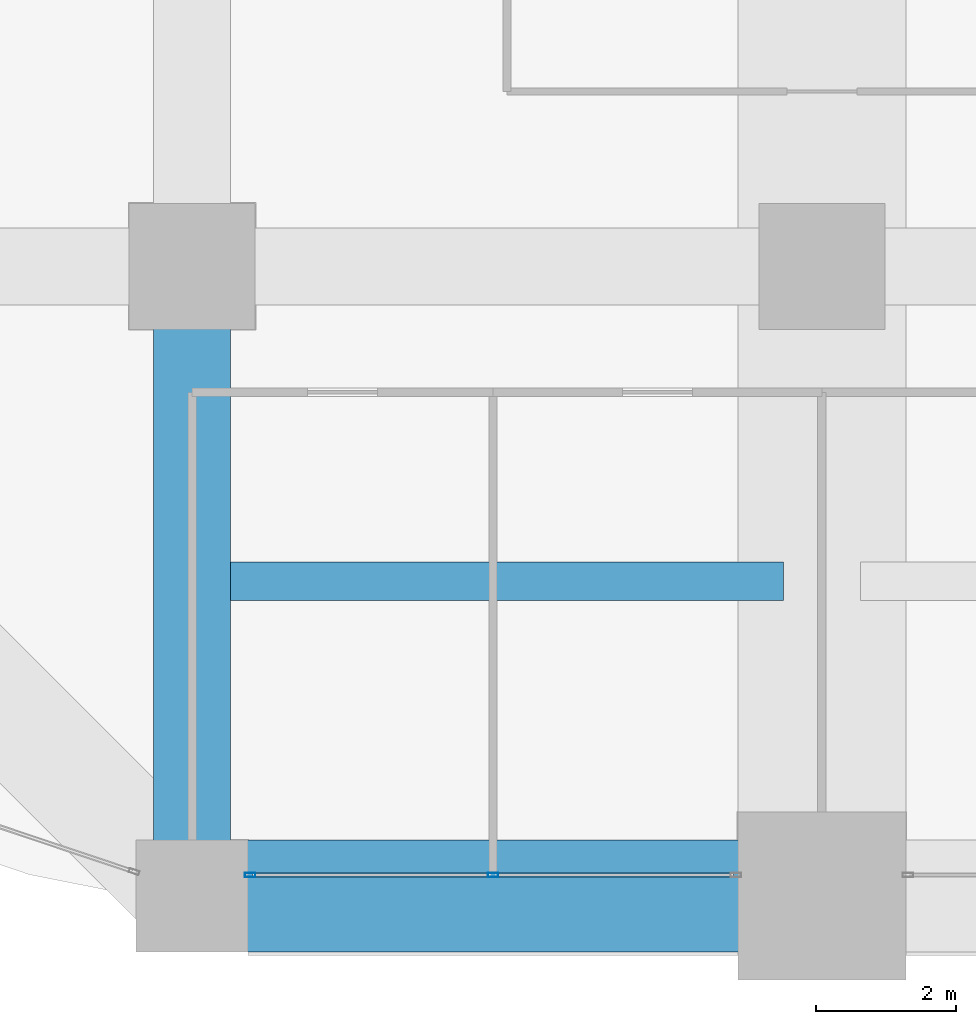
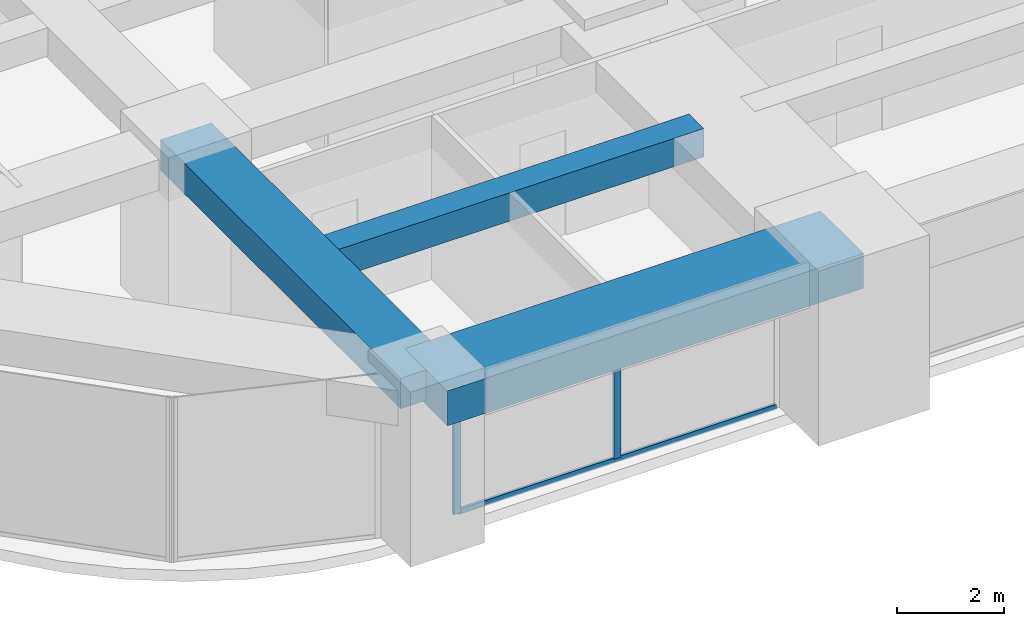
# One storey, part 3 of 43: 3 beams, 3 members, 1 element without a shape of its own.
"""IFC4 building model written with IfcOpenShell, lengths in metres."""

from ifc_helpers import new_model, si_unit, direction, frame, origin, origin_2d, place, context, subcontext, project, spatial, rectangle, hollow_rectangle, extrude, material, material_profile, profile_set, type_object, element, aggregate, save


model = new_model("IFC4")

# Units and contexts
model_context = context("Model", 3, precision=1e-05, world=origin(), true_north=direction((0.0, 1.0)))
body_context = subcontext(model_context, "Body", "Model", "MODEL_VIEW")
ifc_project = project(units=[si_unit("LENGTHUNIT", "METRE"), si_unit("AREAUNIT", "SQUARE_METRE"), si_unit("VOLUMEUNIT", "CUBIC_METRE"), si_unit("PLANEANGLEUNIT", "RADIAN"), si_unit("MASSUNIT", "GRAM", prefix="KILO")], contexts=[model_context])

# Site, building, storey
site_placement = place(None, origin())
site = spatial("IfcSite", under=ifc_project, at=site_placement, CompositionType="ELEMENT")
building_placement = place(site_placement, origin())
building = spatial("IfcBuilding", under=site, at=building_placement, Name="Zorevar Civic Tower", CompositionType="ELEMENT")
storey_placement = place(building_placement, frame((0.0, 0.0, 145.0)))
storey = spatial("IfcBuildingStorey", under=building, at=storey_placement, Name="L35", CompositionType="ELEMENT", Elevation=145.0)

# Beams
ifc_material_1 = material(Name="Concrete C50/60", Category="concrete")
ifc_material_profile_1 = material_profile(ifc_material_1, rectangle(XDim=1.10009765625, YDim=0.699951171875, at=origin_2d()), Name="RC 1100x700")
ifc_profile_set_1 = profile_set([ifc_material_profile_1], Name="Concrete C50/60")
beam_type_1 = type_object("IfcBeamType", Name="Beam RC 1100x700", PredefinedType="BEAM", material=ifc_profile_set_1)
beam_1_placement = place(storey_placement, frame((9.0, 0.0, 3.39990234375), z_axis=(0.0, 1.0, 0.0), x_axis=(-1.0, 0.0, 0.0)))
element("IfcBeam", 1, at=beam_1_placement, inside=storey, type_object=beam_type_1, Name="Girder L36", PredefinedType="BEAM", context=body_context, shape_type="SweptSolid", body=[
    extrude(rectangle(XDim=1.10009765625, YDim=0.699951171875, at=origin_2d()), origin(), (0.0, 0.0, 1.0), 9.0),
])
ifc_material_2 = material(Name="Concrete C50/60", Category="concrete")
ifc_material_profile_2 = material_profile(ifc_material_2, rectangle(XDim=0.550048828125, YDim=0.64990234375, at=origin_2d()), Name="RC 550x650")
ifc_profile_set_2 = profile_set([ifc_material_profile_2], Name="Concrete C50/60")
beam_type_2 = type_object("IfcBeamType", Name="Beam RC 550x650", PredefinedType="BEAM", material=ifc_profile_set_2)
beam_2_placement = place(storey_placement, frame((9.550048828125, 4.5, 3.425048828125), z_axis=(1.0, 0.0, 0.0), x_axis=(0.0, 1.0, 0.0)))
element("IfcBeam", 2, at=beam_2_placement, inside=storey, type_object=beam_type_2, Name="Secondary beam L36", PredefinedType="BEAM", context=body_context, shape_type="SweptSolid", body=[
    extrude(rectangle(XDim=0.550048828125, YDim=0.64990234375, at=origin_2d()), origin(), (0.0, 0.0, 1.0), 7.89990234375),
])

# Curtain wall, members
ifc_material_3 = material(Name="Dark grey solar-control glass in black aluminium frame", Category="aluminium")
curtain_wall_type = type_object("IfcCurtainWallType", Name="Curtain wall CW3 mid zone", PredefinedType="NOTDEFINED", material=ifc_material_3)
curtain_wall_placement = place(storey_placement, origin())
curtain_wall = element("IfcCurtainWall", 3, at=curtain_wall_placement, inside=storey, type_object=curtain_wall_type, Name="CW3 L35", PredefinedType="NOTDEFINED")
ifc_material_4 = material(Name="Aluminium, black anodised", Category="aluminium")
ifc_material_profile_3 = material_profile(ifc_material_4, hollow_rectangle(XDim=0.06005859375, YDim=0.14990234375, WallThickness=0.00390625, at=origin_2d()), Name="AL 150x60x4")
ifc_profile_set_3 = profile_set([ifc_material_profile_3], Name="Aluminium, black anodised")
member_type_1 = type_object("IfcMemberType", Name="CW3 mullion AL 150x60x4", PredefinedType="MULLION", material=ifc_profile_set_3)
member_1_placement = place(storey_placement, frame((9.830078125, 0.300048828125, 0.0), z_axis=(0.0, 0.0, 1.0), x_axis=(0.0, 1.0, 0.0)))
member_1 = element("IfcMember", 4, at=member_1_placement, type_object=member_type_1, Name="CW3 mullion 1", PredefinedType="MULLION", context=body_context, shape_type="SweptSolid", body=[
    extrude(hollow_rectangle(XDim=0.06005859375, YDim=0.14990234375, WallThickness=0.00390625, at=origin_2d()), origin(), (0.0, 0.0, 1.0), 2.949951171875),
])
member_2_placement = place(storey_placement, frame((13.300048828125, 0.300048828125, 0.06005859375), z_axis=(0.0, 0.0, 1.0), x_axis=(0.0, 1.0, 0.0)))
member_2 = element("IfcMember", 5, at=member_2_placement, type_object=member_type_1, Name="CW3 mullion 2", PredefinedType="MULLION", context=body_context, shape_type="SweptSolid", body=[
    extrude(hollow_rectangle(XDim=0.06005859375, YDim=0.14990234375, WallThickness=0.00390625, at=origin_2d()), origin(), (0.0, 0.0, 1.0), 2.889892578125),
])
ifc_material_5 = material(Name="Aluminium, black anodised", Category="aluminium")
ifc_material_profile_4 = material_profile(ifc_material_5, hollow_rectangle(XDim=0.06005859375, YDim=0.1201171875, WallThickness=0.0029296875, at=origin_2d()), Name="AL 120x60x3")
ifc_profile_set_4 = profile_set([ifc_material_profile_4], Name="Aluminium, black anodised")
member_type_2 = type_object("IfcMemberType", Name="CW3 transom AL 120x60x3", PredefinedType="USERDEFINED", material=ifc_profile_set_4)
member_3_placement = place(storey_placement, frame((9.860107421875, 0.300048828125, 0.030029296875), z_axis=(1.0, 0.0, 0.0), x_axis=(0.0, 1.0, 0.0)))
member_3 = element("IfcMember", 6, at=member_3_placement, type_object=member_type_2, Name="CW3 sill transom", ObjectType="TRANSOM", PredefinedType="USERDEFINED", context=body_context, shape_type="SweptSolid", body=[
    extrude(hollow_rectangle(XDim=0.06005859375, YDim=0.1201171875, WallThickness=0.0029296875, at=origin_2d()), origin(), (0.0, 0.0, 1.0), 6.8798828125),
])
aggregate(curtain_wall, [member_1, member_2, member_3])

# Beam
ifc_material_6 = material(Name="Concrete C50/60", Category="concrete")
ifc_material_profile_5 = material_profile(ifc_material_6, rectangle(XDim=1.60009765625, YDim=0.800048828125, at=origin_2d()), Name="RC 1600x800")
ifc_profile_set_5 = profile_set([ifc_material_profile_5], Name="Concrete C50/60")
beam_type_3 = type_object("IfcBeamType", Name="Edge beam RC 1600x800", PredefinedType="SPANDREL", material=ifc_profile_set_5)
beam_3_placement = place(storey_placement, frame((9.0, 0.0, 3.35009765625), z_axis=(1.0, 0.0, 0.0), x_axis=(0.0, 1.0, 0.0)))
element("IfcBeam", 7, at=beam_3_placement, inside=storey, type_object=beam_type_3, Name="Edge beam L36", PredefinedType="SPANDREL", context=body_context, shape_type="SweptSolid", body=[
    extrude(rectangle(XDim=1.60009765625, YDim=0.800048828125, at=origin_2d()), origin(), (0.0, 0.0, 1.0), 9.0),
])

save(model, "model.ifc")
